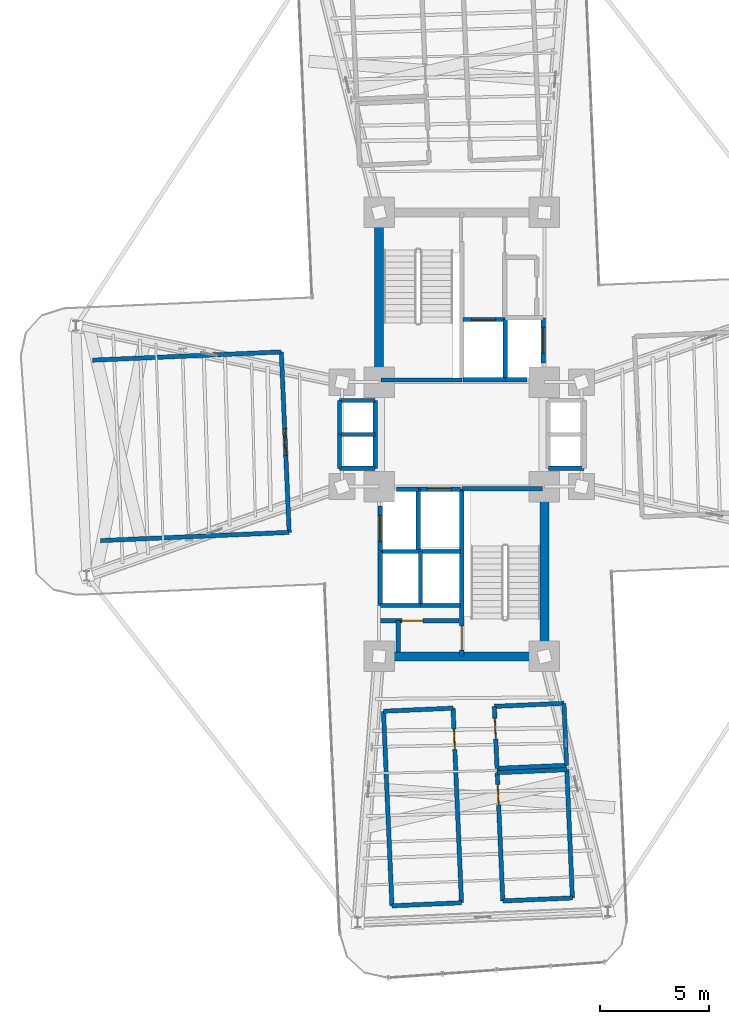
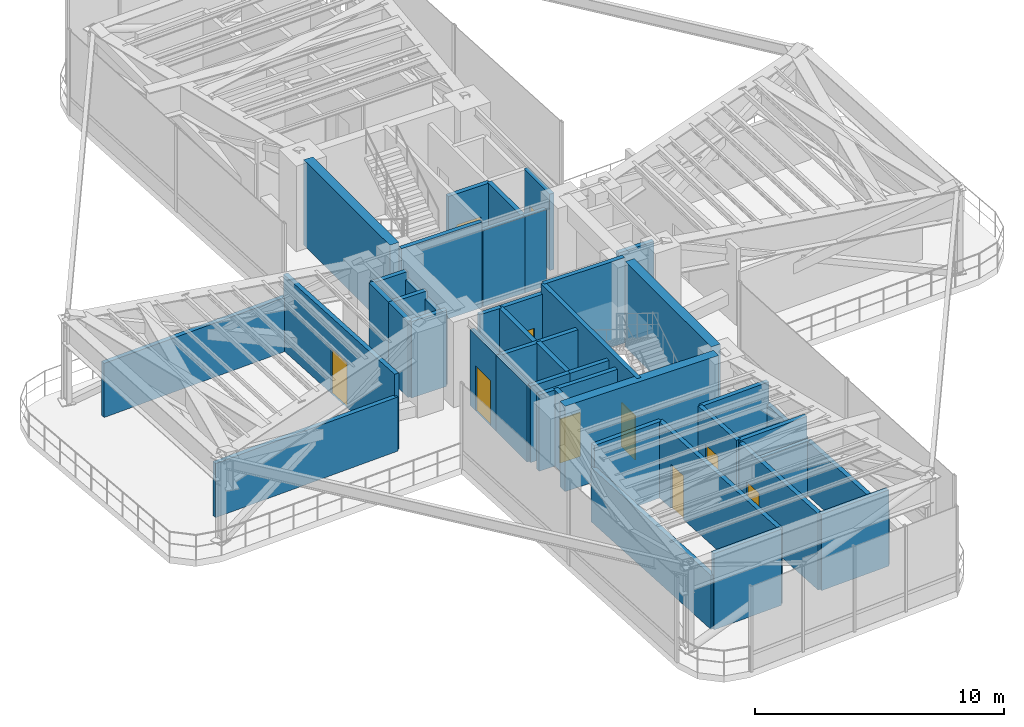
# One storey, part 15 of 18: 44 walls, 10 doors, 10 openings.
"""IFC4 building model written with IfcOpenShell, lengths in metres."""

from ifc_helpers import new_model, si_unit, direction, frame, frame_2d, origin, origin_2d, place, context, subcontext, project, spatial, rectangle, extrude, source, transform, mapped, material, layer, layer_set, type_object, element, fill, save


model = new_model("IFC4")

# Units and contexts
model_context = context("Model", 3, precision=1e-05, world=origin(), true_north=direction((0.0, 1.0)))
body_context = subcontext(model_context, "Body", "Model", "MODEL_VIEW")
ifc_project = project(units=[si_unit("LENGTHUNIT", "METRE"), si_unit("AREAUNIT", "SQUARE_METRE"), si_unit("VOLUMEUNIT", "CUBIC_METRE"), si_unit("PLANEANGLEUNIT", "RADIAN"), si_unit("MASSUNIT", "GRAM", prefix="KILO")], contexts=[model_context])

# Site, building, storey
site_placement = place(None, origin())
site = spatial("IfcSite", under=ifc_project, at=site_placement, CompositionType="ELEMENT")
building_placement = place(site_placement, origin())
building = spatial("IfcBuilding", under=site, at=building_placement, Name="Sahyath Konkavel Grand Hotel", CompositionType="ELEMENT")
storey_placement = place(building_placement, frame((0.0, 0.0, 138.25)))
storey = spatial("IfcBuildingStorey", under=building, at=storey_placement, Name="L38", CompositionType="ELEMENT", Elevation=138.25)

# Walls
ifc_material_1 = material(Name="Concrete C50/60", Category="concrete")
ifc_layer_1 = layer(ifc_material_1, 0.419921875)
ifc_layer_set_1 = layer_set([ifc_layer_1], Name="Concrete C50/60")
wall_type_1 = type_object("IfcWallType", Name="CWALL-420", PredefinedType="SHEAR", material=ifc_layer_set_1)
wall_1_placement = place(storey_placement, frame((-3.800048828125, 2.85009765625, 0.0), z_axis=(0.0, 0.0, 1.0), x_axis=(0.0, 1.0, 0.0)))
element("IfcWall", 1, at=wall_1_placement, inside=storey, type_object=wall_type_1, Name="L38 North Core Shear Wall W", PredefinedType="SHEAR", context=body_context, shape_type="SweptSolid", body=[
    extrude(rectangle(XDim=6.89990234375, YDim=0.419921875, at=frame_2d((3.449951171875, 0.0))), origin(), (0.0, 0.0, 1.0), 4.179931640625),
])
wall_2_placement = place(storey_placement, frame((-3.550048828125, -10.199951171875, 0.0), z_axis=(0.0, 0.0, 1.0), x_axis=(1.0, 0.0, 0.0)))
element("IfcWall", 2, at=wall_2_placement, inside=storey, type_object=wall_type_1, Name="L38 South Core Shear Wall S", PredefinedType="SHEAR", context=body_context, shape_type="SweptSolid", body=[
    extrude(rectangle(XDim=7.10009765625, YDim=0.419921875, at=frame_2d((3.550048828125, 0.0))), origin(), (0.0, 0.0, 1.0), 4.179931640625),
])
wall_3_placement = place(storey_placement, frame((3.800048828125, -9.75, 0.0), z_axis=(0.0, 0.0, 1.0), x_axis=(0.0, 1.0, 0.0)))
element("IfcWall", 3, at=wall_3_placement, inside=storey, type_object=wall_type_1, Name="L38 South Core Shear Wall E", PredefinedType="SHEAR", context=body_context, shape_type="SweptSolid", body=[
    extrude(rectangle(XDim=6.89990234375, YDim=0.419921875, at=frame_2d((3.449951171875, 0.0))), origin(), (0.0, 0.0, 1.0), 4.179931640625),
])
ifc_material_2 = material(Name="Concrete C40/50", Category="concrete")
ifc_layer_2 = layer(ifc_material_2, 0.199951171875)
ifc_layer_set_2 = layer_set([ifc_layer_2], Name="Concrete C40/50")
wall_type_2 = type_object("IfcWallType", Name="WLL-CORE-200", PredefinedType="SOLIDWALL", material=ifc_layer_set_2)
wall_4_placement = place(storey_placement, frame((-3.719970703125, 2.5, 0.0), z_axis=(0.0, 0.0, 1.0), x_axis=(1.0, 0.0, 0.0)))
element("IfcWall", 4, at=wall_4_placement, inside=storey, type_object=wall_type_2, Name="L38 Stair ST-1 Shaft Wall S", PredefinedType="SOLIDWALL", context=body_context, shape_type="SweptSolid", body=[
    extrude(rectangle(XDim=3.719970703125, YDim=0.199951171875, at=frame_2d((1.85986328125, 0.0))), origin(), (0.0, 0.0, 1.0), 4.179931640625),
])

# Wall, opening, door
wall_5_placement = place(storey_placement, frame((0.0, -10.179931640625, 0.0), z_axis=(0.0, 0.0, 1.0), x_axis=(0.0, 1.0, 0.0)))
wall_5 = element("IfcWall", 5, at=wall_5_placement, inside=storey, type_object=wall_type_2, Name="L38 Stair ST-2 Shaft Wall W", PredefinedType="SOLIDWALL", context=body_context, shape_type="SweptSolid", body=[
    extrude(rectangle(XDim=7.679931640625, YDim=0.199951171875, at=frame_2d((3.83984375, 0.0))), origin(), (0.0, 0.0, 1.0), 4.179931640625),
])
opening_1_placement = place(wall_5_placement, frame((0.280029296875, 0.0, 0.0)))
opening_1 = element("IfcOpeningElement", 6, at=opening_1_placement, cuts=wall_5, Name="Opening D-F12B", PredefinedType="OPENING", context=body_context, shape_type="SweptSolid", body=[
    extrude(rectangle(XDim=1.10009765625, YDim=2.14990234375, at=frame_2d((0.550048828125, 1.074951171875))), frame((0.0, 0.10986328125, 0.0), z_axis=(0.0, -1.0, 0.0), x_axis=(1.0, 0.0, 0.0)), (0.0, 0.0, 1.0), 0.219970703125),
])
ifc_material_3 = material(Name="Steel E350 Smokeproof Fire Door", Category="steel")
door_type_1 = type_object("IfcDoorType", Name="DR-FD120-1100", OperationType="NOTDEFINED", PredefinedType="DOOR", material=ifc_material_3)
shared_shape_1 = source(origin(), body_context, "Body", "SweptSolid", [
    extrude(rectangle(XDim=1.10009765625, YDim=0.050048828125, at=origin_2d()), origin(), (0.0, 0.0, 1.0), 2.14990234375),
])
door_1_placement = place(opening_1_placement, frame((0.550048828125, 0.0, 0.0)))
door_1 = element("IfcDoor", 7, at=door_1_placement, inside=storey, type_object=door_type_1, Name="L38 Stair ST-2 Fire Door", OperationType="SINGLE_SWING_LEFT", OverallHeight=2.14990234375, OverallWidth=1.10009765625, PredefinedType="DOOR", context=body_context, shape_type="MappedRepresentation", body=[
    mapped(shared_shape_1, transform((0.0, 0.0, 0.0), scale=1.0)),
])
fill(opening_1, door_1)

# Walls
wall_6_placement = place(storey_placement, frame((0.0, -2.5, 0.0), z_axis=(0.0, 0.0, 1.0), x_axis=(1.0, 0.0, 0.0)))
element("IfcWall", 8, at=wall_6_placement, inside=storey, type_object=wall_type_2, Name="L38 Stair ST-2 Shaft Wall N", PredefinedType="SOLIDWALL", context=body_context, shape_type="SweptSolid", body=[
    extrude(rectangle(XDim=3.719970703125, YDim=0.199951171875, at=frame_2d((1.85986328125, 0.0))), origin(), (0.0, 0.0, 1.0), 4.179931640625),
])
wall_7_placement = place(storey_placement, frame((2.0, 2.5, 0.0), z_axis=(0.0, 0.0, 1.0), x_axis=(0.0, 1.0, 0.0)))
element("IfcWall", 9, at=wall_7_placement, inside=storey, type_object=wall_type_2, Name="L38 Partition SH-FFL1-E", PredefinedType="SOLIDWALL", context=body_context, shape_type="SweptSolid", body=[
    extrude(rectangle(XDim=2.780029296875, YDim=0.199951171875, at=frame_2d((1.39013671875, 0.0))), origin(), (0.0, 0.0, 1.0), 3.72998046875),
])
wall_8_placement = place(storey_placement, frame((0.050048828125, 2.52001953125, 0.0), z_axis=(0.0, 0.0, 1.0), x_axis=(1.0, 0.0, 0.0)))
element("IfcWall", 10, at=wall_8_placement, inside=storey, type_object=wall_type_2, Name="L38 Partition SH-FFL1-S", PredefinedType="SOLIDWALL", context=body_context, shape_type="SweptSolid", body=[
    extrude(rectangle(XDim=1.949951171875, YDim=0.199951171875, at=frame_2d((0.97509765625, 0.0))), origin(), (0.0, 0.0, 1.0), 3.72998046875),
])

# Wall, opening, door
wall_9_placement = place(storey_placement, frame((0.050048828125, 5.280029296875, 0.0), z_axis=(0.0, 0.0, 1.0), x_axis=(1.0, 0.0, 0.0)))
wall_9 = element("IfcWall", 11, at=wall_9_placement, inside=storey, type_object=wall_type_2, Name="L38 Partition SH-FFL1-N", PredefinedType="SOLIDWALL", context=body_context, shape_type="SweptSolid", body=[
    extrude(rectangle(XDim=1.929931640625, YDim=0.199951171875, at=frame_2d((0.96484375, 0.0))), origin(), (0.0, 0.0, 1.0), 3.72998046875),
])
opening_2_placement = place(wall_9_placement, frame((0.39990234375, 0.0, 0.0)))
opening_2 = element("IfcOpeningElement", 12, at=opening_2_placement, cuts=wall_9, Name="Opening LD-11", PredefinedType="OPENING", context=body_context, shape_type="SweptSolid", body=[
    extrude(rectangle(XDim=1.10009765625, YDim=2.199951171875, at=frame_2d((0.550048828125, 1.10009765625))), frame((0.0, 0.10986328125, 0.0), z_axis=(0.0, -1.0, 0.0), x_axis=(1.0, 0.0, 0.0)), (0.0, 0.0, 1.0), 0.219970703125),
])
ifc_material_4 = material(Name="Bronze Lift Landing Door 1100")
door_type_2 = type_object("IfcDoorType", Name="DR-LIFT-1100", OperationType="DOUBLE_DOOR_SLIDING", PredefinedType="DOOR", material=ifc_material_4)
shared_shape_2 = source(origin(), body_context, "Body", "SweptSolid", [
    extrude(rectangle(XDim=1.10009765625, YDim=0.050048828125, at=origin_2d()), origin(), (0.0, 0.0, 1.0), 2.199951171875),
])
door_2_placement = place(opening_2_placement, frame((0.550048828125, 0.0, 0.0)))
door_2 = element("IfcDoor", 13, at=door_2_placement, inside=storey, type_object=door_type_2, Name="L38 Lift FFL-1 Landing Door", OperationType="DOUBLE_DOOR_SLIDING", OverallHeight=2.199951171875, OverallWidth=1.10009765625, PredefinedType="DOOR", context=body_context, shape_type="MappedRepresentation", body=[
    mapped(shared_shape_2, transform((0.0, 0.0, 0.0), scale=1.0)),
])
fill(opening_2, door_2)

# Wall
wall_10_placement = place(storey_placement, frame((-2.0, -5.280029296875, 0.0), z_axis=(0.0, 0.0, 1.0), x_axis=(0.0, 1.0, 0.0)))
element("IfcWall", 14, at=wall_10_placement, inside=storey, type_object=wall_type_2, Name="L38 Partition SH-FFL2-W", PredefinedType="SOLIDWALL", context=body_context, shape_type="SweptSolid", body=[
    extrude(rectangle(XDim=2.780029296875, YDim=0.199951171875, at=frame_2d((1.39013671875, 0.0))), origin(), (0.0, 0.0, 1.0), 3.72998046875),
])

# Wall, opening, door
wall_11_placement = place(storey_placement, frame((-2.0, -2.52001953125, 0.0), z_axis=(0.0, 0.0, 1.0), x_axis=(1.0, 0.0, 0.0)))
wall_11 = element("IfcWall", 15, at=wall_11_placement, inside=storey, type_object=wall_type_2, Name="L38 Partition SH-FFL2-N", PredefinedType="SOLIDWALL", context=body_context, shape_type="SweptSolid", body=[
    extrude(rectangle(XDim=1.949951171875, YDim=0.199951171875, at=frame_2d((0.97509765625, 0.0))), origin(), (0.0, 0.0, 1.0), 3.72998046875),
])
opening_3_placement = place(wall_11_placement, frame((0.419921875, 0.0, 0.0)))
opening_3 = element("IfcOpeningElement", 16, at=opening_3_placement, cuts=wall_11, Name="Opening LD-11", PredefinedType="OPENING", context=body_context, shape_type="SweptSolid", body=[
    extrude(rectangle(XDim=1.10009765625, YDim=2.199951171875, at=frame_2d((0.550048828125, 1.10009765625))), frame((0.0, 0.10986328125, 0.0), z_axis=(0.0, -1.0, 0.0), x_axis=(1.0, 0.0, 0.0)), (0.0, 0.0, 1.0), 0.219970703125),
])
door_3_placement = place(opening_3_placement, frame((0.550048828125, 0.0, 0.0)))
door_3 = element("IfcDoor", 17, at=door_3_placement, inside=storey, type_object=door_type_2, Name="L38 Lift FFL-2 Landing Door", OperationType="DOUBLE_DOOR_SLIDING", OverallHeight=2.199951171875, OverallWidth=1.10009765625, PredefinedType="DOOR", context=body_context, shape_type="MappedRepresentation", body=[
    mapped(shared_shape_2, transform((0.0, 0.0, 0.0), scale=1.0)),
])
fill(opening_3, door_3)

# Wall
wall_12_placement = place(storey_placement, frame((2.0, 2.52001953125, 0.0), z_axis=(0.0, 0.0, 1.0), x_axis=(1.0, 0.0, 0.0)))
element("IfcWall", 18, at=wall_12_placement, inside=storey, type_object=wall_type_2, Name="L38 Partition SH-SVL1-S", PredefinedType="SOLIDWALL", context=body_context, shape_type="SweptSolid", body=[
    extrude(rectangle(XDim=1.0, YDim=0.199951171875, at=frame_2d((0.5, 0.0))), origin(), (0.0, 0.0, 1.0), 3.72998046875),
])

# Wall, opening, door
wall_13_placement = place(storey_placement, frame((3.739990234375, 3.280029296875, 0.0), z_axis=(0.0, 0.0, 1.0), x_axis=(0.0, 1.0, 0.0)))
wall_13 = element("IfcWall", 19, at=wall_13_placement, inside=storey, type_object=wall_type_2, Name="L38 Partition SH-SVL1-E", PredefinedType="SOLIDWALL", context=body_context, shape_type="SweptSolid", body=[
    extrude(rectangle(XDim=2.080078125, YDim=0.199951171875, at=frame_2d((1.0400390625, 0.0))), origin(), (0.0, 0.0, 1.0), 3.72998046875),
])
opening_4_placement = place(wall_13_placement, frame((0.43994140625, 0.0, 0.0)))
opening_4 = element("IfcOpeningElement", 20, at=opening_4_placement, cuts=wall_13, Name="Opening LD-12", PredefinedType="OPENING", context=body_context, shape_type="SweptSolid", body=[
    extrude(rectangle(XDim=1.199951171875, YDim=2.199951171875, at=frame_2d((0.60009765625, 1.10009765625))), frame((0.0, 0.10986328125, 0.0), z_axis=(0.0, -1.0, 0.0), x_axis=(1.0, 0.0, 0.0)), (0.0, 0.0, 1.0), 0.219970703125),
])
ifc_material_5 = material(Name="Stainless Steel Lift Landing Door 1200", Category="steel")
door_type_3 = type_object("IfcDoorType", Name="DR-LIFT-1200", OperationType="DOUBLE_DOOR_SLIDING", PredefinedType="DOOR", material=ifc_material_5)
shared_shape_3 = source(origin(), body_context, "Body", "SweptSolid", [
    extrude(rectangle(XDim=1.199951171875, YDim=0.050048828125, at=origin_2d()), origin(), (0.0, 0.0, 1.0), 2.199951171875),
])
door_4_placement = place(opening_4_placement, frame((0.60009765625, 0.0, 0.0)))
door_4 = element("IfcDoor", 21, at=door_4_placement, inside=storey, type_object=door_type_3, Name="L38 Service Lift SVL-1 Landing Door", OperationType="DOUBLE_DOOR_SLIDING", OverallHeight=2.199951171875, OverallWidth=1.199951171875, PredefinedType="DOOR", context=body_context, shape_type="MappedRepresentation", body=[
    mapped(shared_shape_3, transform((0.0, 0.0, 0.0), scale=1.0)),
])
fill(opening_4, door_4)

# Wall
wall_14_placement = place(storey_placement, frame((-3.0, -2.52001953125, 0.0), z_axis=(0.0, 0.0, 1.0), x_axis=(1.0, 0.0, 0.0)))
element("IfcWall", 22, at=wall_14_placement, inside=storey, type_object=wall_type_2, Name="L38 Partition SH-SVL2-N", PredefinedType="SOLIDWALL", context=body_context, shape_type="SweptSolid", body=[
    extrude(rectangle(XDim=1.0, YDim=0.199951171875, at=frame_2d((0.5, 0.0))), origin(), (0.0, 0.0, 1.0), 3.72998046875),
])

# Wall, opening, door
wall_15_placement = place(storey_placement, frame((-3.739990234375, -5.360107421875, 0.0), z_axis=(0.0, 0.0, 1.0), x_axis=(0.0, 1.0, 0.0)))
wall_15 = element("IfcWall", 23, at=wall_15_placement, inside=storey, type_object=wall_type_2, Name="L38 Partition SH-SVL2-W", PredefinedType="SOLIDWALL", context=body_context, shape_type="SweptSolid", body=[
    extrude(rectangle(XDim=2.080078125, YDim=0.199951171875, at=frame_2d((1.0400390625, 0.0))), origin(), (0.0, 0.0, 1.0), 3.72998046875),
])
opening_5_placement = place(wall_15_placement, frame((0.43994140625, 0.0, 0.0)))
opening_5 = element("IfcOpeningElement", 24, at=opening_5_placement, cuts=wall_15, Name="Opening LD-12", PredefinedType="OPENING", context=body_context, shape_type="SweptSolid", body=[
    extrude(rectangle(XDim=1.199951171875, YDim=2.199951171875, at=frame_2d((0.60009765625, 1.10009765625))), frame((0.0, 0.10986328125, 0.0), z_axis=(0.0, -1.0, 0.0), x_axis=(1.0, 0.0, 0.0)), (0.0, 0.0, 1.0), 0.219970703125),
])
door_5_placement = place(opening_5_placement, frame((0.60009765625, 0.0, 0.0)))
door_5 = element("IfcDoor", 25, at=door_5_placement, inside=storey, type_object=door_type_3, Name="L38 Service Lift SVL-2 Landing Door", OperationType="DOUBLE_DOOR_SLIDING", OverallHeight=2.199951171875, OverallWidth=1.199951171875, PredefinedType="DOOR", context=body_context, shape_type="MappedRepresentation", body=[
    mapped(shared_shape_3, transform((0.0, 0.0, 0.0), scale=1.0)),
])
fill(opening_5, door_5)

# Walls
wall_16_placement = place(storey_placement, frame((-3.739990234375, -7.860107421875, 0.0), z_axis=(0.0, 0.0, 1.0), x_axis=(0.0, 1.0, 0.0)))
element("IfcWall", 26, at=wall_16_placement, inside=storey, type_object=wall_type_2, Name="L38 Partition SH-PL3-W", PredefinedType="SOLIDWALL", context=body_context, shape_type="SweptSolid", body=[
    extrude(rectangle(XDim=2.480224609375, YDim=0.199951171875, at=frame_2d((1.240234375, 0.0))), origin(), (0.0, 0.0, 1.0), 3.72998046875),
])
wall_17_placement = place(storey_placement, frame((-3.739990234375, -7.860107421875, 0.0), z_axis=(0.0, 0.0, 1.0), x_axis=(1.0, 0.0, 0.0)))
element("IfcWall", 27, at=wall_17_placement, inside=storey, type_object=wall_type_2, Name="L38 Partition SH-PL3-S", PredefinedType="SOLIDWALL", context=body_context, shape_type="SweptSolid", body=[
    extrude(rectangle(XDim=1.840087890625, YDim=0.199951171875, at=frame_2d((0.919921875, 0.0))), origin(), (0.0, 0.0, 1.0), 3.72998046875),
])
wall_18_placement = place(storey_placement, frame((-3.739990234375, -5.3798828125, 0.0), z_axis=(0.0, 0.0, 1.0), x_axis=(1.0, 0.0, 0.0)))
element("IfcWall", 28, at=wall_18_placement, inside=storey, type_object=wall_type_2, Name="L38 Partition SH-PL34-N", PredefinedType="SOLIDWALL", context=body_context, shape_type="SweptSolid", body=[
    extrude(rectangle(XDim=3.68994140625, YDim=0.199951171875, at=frame_2d((1.844970703125, 0.0))), origin(), (0.0, 0.0, 1.0), 3.72998046875),
])
wall_19_placement = place(storey_placement, frame((-1.89990234375, -7.860107421875, 0.0), z_axis=(0.0, 0.0, 1.0), x_axis=(0.0, 1.0, 0.0)))
element("IfcWall", 29, at=wall_19_placement, inside=storey, type_object=wall_type_2, Name="L38 Partition SH-PL34-M", PredefinedType="SOLIDWALL", context=body_context, shape_type="SweptSolid", body=[
    extrude(rectangle(XDim=2.480224609375, YDim=0.199951171875, at=frame_2d((1.240234375, 0.0))), origin(), (0.0, 0.0, 1.0), 3.72998046875),
])
wall_20_placement = place(storey_placement, frame((-1.89990234375, -7.860107421875, 0.0), z_axis=(0.0, 0.0, 1.0), x_axis=(1.0, 0.0, 0.0)))
element("IfcWall", 30, at=wall_20_placement, inside=storey, type_object=wall_type_2, Name="L38 Partition SH-PL4-S", PredefinedType="SOLIDWALL", context=body_context, shape_type="SweptSolid", body=[
    extrude(rectangle(XDim=1.849853515625, YDim=0.199951171875, at=frame_2d((0.9248046875, 0.0))), origin(), (0.0, 0.0, 1.0), 3.72998046875),
])
wall_21_placement = place(storey_placement, frame((3.97998046875, -1.56005859375, 0.0), z_axis=(0.0, 0.0, 1.0), x_axis=(1.0, 0.0, 0.0)))
element("IfcWall", 31, at=wall_21_placement, inside=storey, type_object=wall_type_2, Name="L38 Partition SH-PL56-S", PredefinedType="SOLIDWALL", context=body_context, shape_type="SweptSolid", body=[
    extrude(rectangle(XDim=1.64013671875, YDim=0.199951171875, at=frame_2d((0.820068359375, 0.0))), origin(), (0.0, 0.0, 1.0), 3.72998046875),
])
wall_22_placement = place(storey_placement, frame((-3.97998046875, -1.56005859375, 0.0), z_axis=(0.0, 0.0, 1.0), x_axis=(0.0, 1.0, 0.0)))
element("IfcWall", 32, at=wall_22_placement, inside=storey, type_object=wall_type_2, Name="L38 Partition SH-SL12-E", PredefinedType="SOLIDWALL", context=body_context, shape_type="SweptSolid", body=[
    extrude(rectangle(XDim=3.1201171875, YDim=0.199951171875, at=frame_2d((1.56005859375, 0.0))), origin(), (0.0, 0.0, 1.0), 3.35009765625),
])
for number, where, z_axis, x_axis, name in (
    (33, (-5.6201171875, 1.56005859375, 0.0), (0.0, 0.0, 1.0), (1.0, 0.0, 0.0), "L38 Partition SH-SL12-N"),
    (34, (-5.6201171875, -1.56005859375, 0.0), (0.0, 0.0, 1.0), (1.0, 0.0, 0.0), "L38 Partition SH-SL12-S"),
    (35, (-5.6201171875, 0.0, 0.0), (0.0, 0.0, 1.0), (1.0, 0.0, 0.0), "L38 Partition SH-SL12-M"),
):
    element("IfcWall", number, at=place(storey_placement, frame(where, z_axis=z_axis, x_axis=x_axis)), inside=storey, type_object=wall_type_2, Name=name, PredefinedType="SOLIDWALL", context=body_context, shape_type="SweptSolid", body=[
        extrude(rectangle(XDim=1.64013671875, YDim=0.199951171875, at=frame_2d((0.820068359375, 0.0))), origin(), (0.0, 0.0, 1.0), 3.72998046875),
    ])
for number, where, z_axis, x_axis, name in (
    (36, (-5.6201171875, 0.0, 0.0), (0.0, 0.0, 1.0), (0.0, 1.0, 0.0), "L38 Partition SH-SL1-W"),
    (37, (-5.6201171875, -1.56005859375, 0.0), (0.0, 0.0, 1.0), (0.0, 1.0, 0.0), "L38 Partition SH-SL2-W"),
):
    element("IfcWall", number, at=place(storey_placement, frame(where, z_axis=z_axis, x_axis=x_axis)), inside=storey, type_object=wall_type_2, Name=name, PredefinedType="SOLIDWALL", context=body_context, shape_type="SweptSolid", body=[
        extrude(rectangle(XDim=1.56005859375, YDim=0.199951171875, at=frame_2d((0.780029296875, 0.0))), origin(), (0.0, 0.0, 1.0), 3.72998046875),
    ])

# Wall, opening, door
wall_23_placement = place(storey_placement, frame((-3.739990234375, -8.56005859375, 0.0), z_axis=(0.0, 0.0, 1.0), x_axis=(1.0, 0.0, 0.0)))
wall_23 = element("IfcWall", 38, at=wall_23_placement, inside=storey, type_object=wall_type_2, Name="L38 South FF Lobby Separation Wall", PredefinedType="SOLIDWALL", context=body_context, shape_type="SweptSolid", body=[
    extrude(rectangle(XDim=3.619873046875, YDim=0.199951171875, at=frame_2d((1.81005859375, 0.0))), origin(), (0.0, 0.0, 1.0), 3.72998046875),
])
opening_6_placement = place(wall_23_placement, frame((1.0, 0.0, 0.0)))
opening_6 = element("IfcOpeningElement", 39, at=opening_6_placement, cuts=wall_23, Name="Opening D-F12C", PredefinedType="OPENING", context=body_context, shape_type="SweptSolid", body=[
    extrude(rectangle(XDim=0.949951171875, YDim=2.14990234375, at=frame_2d((0.47509765625, 1.074951171875))), frame((0.0, 0.10986328125, 0.0), z_axis=(0.0, -1.0, 0.0), x_axis=(1.0, 0.0, 0.0)), (0.0, 0.0, 1.0), 0.219970703125),
])
ifc_material_6 = material(Name="Steel E350 Plant Fire Door", Category="steel")
door_type_4 = type_object("IfcDoorType", Name="DR-FD120-950", OperationType="NOTDEFINED", PredefinedType="DOOR", material=ifc_material_6)
shared_shape_4 = source(origin(), body_context, "Body", "SweptSolid", [
    extrude(rectangle(XDim=0.949951171875, YDim=0.050048828125, at=origin_2d()), origin(), (0.0, 0.0, 1.0), 2.14990234375),
])
door_6_placement = place(opening_6_placement, frame((0.47509765625, 0.0, 0.0)))
door_6 = element("IfcDoor", 40, at=door_6_placement, inside=storey, type_object=door_type_4, Name="L38 South Firefighting Lobby Door", OperationType="SINGLE_SWING_RIGHT", OverallHeight=2.14990234375, OverallWidth=0.949951171875, PredefinedType="DOOR", context=body_context, shape_type="MappedRepresentation", body=[
    mapped(shared_shape_4, transform((0.0, 0.0, 0.0), scale=1.0)),
])
fill(opening_6, door_6)

# Wall
wall_24_placement = place(storey_placement, frame((-2.919921875, -10.0, 0.0), z_axis=(0.0, 0.0, 1.0), x_axis=(0.0, 1.0, 0.0)))
element("IfcWall", 41, at=wall_24_placement, inside=storey, type_object=wall_type_2, Name="L38 Partition SFF-W2", PredefinedType="SOLIDWALL", context=body_context, shape_type="SweptSolid", body=[
    extrude(rectangle(XDim=1.43994140625, YDim=0.199951171875, at=frame_2d((0.719970703125, 0.0))), origin(), (0.0, 0.0, 1.0), 3.72998046875),
])

# Wall, opening, door
wall_25_placement = place(storey_placement, frame((-8.293212890625, 3.7919921875, 0.0), z_axis=(0.0, 0.0, 1.0), x_axis=(0.043591675458, -0.999049431125, 0.0)))
wall_25 = element("IfcWall", 42, at=wall_25_placement, inside=storey, type_object=wall_type_2, Name="L38 Partition REF-W-IN", PredefinedType="SOLIDWALL", context=body_context, shape_type="SweptSolid", body=[
    extrude(rectangle(XDim=8.300048828125, YDim=0.199951171875, at=frame_2d((4.14990234375, 0.0))), origin(), (0.0, 0.0, 1.0), 3.72998046875),
])
opening_7_placement = place(wall_25_placement, frame((3.550048828125, 0.0, 0.0)))
opening_7 = element("IfcOpeningElement", 43, at=opening_7_placement, cuts=wall_25, Name="Opening D-F12A", PredefinedType="OPENING", context=body_context, shape_type="SweptSolid", body=[
    extrude(rectangle(XDim=1.199951171875, YDim=2.199951171875, at=frame_2d((0.60009765625, 1.10009765625))), frame((0.0, 0.10986328125, 0.0), z_axis=(0.0, -1.0, 0.0), x_axis=(1.0, 0.0, 0.0)), (0.0, 0.0, 1.0), 0.219970703125),
])
ifc_material_7 = material(Name="Steel E350 Fire Door", Category="steel")
door_type_5 = type_object("IfcDoorType", Name="DR-FD120-1200", OperationType="NOTDEFINED", PredefinedType="DOOR", material=ifc_material_7)
door_7_placement = place(opening_7_placement, frame((0.60009765625, 0.0, 0.0)))
door_7 = element("IfcDoor", 44, at=door_7_placement, inside=storey, type_object=door_type_5, Name="L38 Door REF-W-D", OperationType="SINGLE_SWING_LEFT", OverallHeight=2.199951171875, OverallWidth=1.199951171875, PredefinedType="DOOR", context=body_context, shape_type="MappedRepresentation", body=[
    mapped(shared_shape_3, transform((0.0, 0.0, 0.0), scale=1.0)),
])
fill(opening_7, door_7)

# Walls
wall_26_placement = place(storey_placement, frame((-7.931396484375, -4.500244140625, 0.0), z_axis=(0.0, 0.0, 1.0), x_axis=(-0.999047967879, -0.04362519773, 0.0)))
element("IfcWall", 45, at=wall_26_placement, inside=storey, type_object=wall_type_2, Name="L38 Partition REF-W-N", PredefinedType="SOLIDWALL", context=body_context, shape_type="SweptSolid", body=[
    extrude(rectangle(XDim=8.679931640625, YDim=0.199951171875, at=frame_2d((4.33984375, 0.0))), origin(), (0.0, 0.0, 1.0), 2.64990234375),
])
wall_27_placement = place(storey_placement, frame((-8.293212890625, 3.7919921875, 0.0), z_axis=(0.0, 0.0, 1.0), x_axis=(-0.999046795199, -0.043652044655, 0.0)))
element("IfcWall", 46, at=wall_27_placement, inside=storey, type_object=wall_type_2, Name="L38 Partition REF-W-S", PredefinedType="SOLIDWALL", context=body_context, shape_type="SweptSolid", body=[
    extrude(rectangle(XDim=8.68017578125, YDim=0.199951171875, at=frame_2d((4.340087890625, 0.0))), origin(), (0.0, 0.0, 1.0), 2.64990234375),
])

# Wall, opening, door
wall_28_placement = place(storey_placement, frame((1.49658203125, -12.49658203125, 0.0), z_axis=(0.0, 0.0, 1.0), x_axis=(0.043600785227, -0.999049033595, 0.0)))
wall_28 = element("IfcWall", 47, at=wall_28_placement, inside=storey, type_object=wall_type_2, Name="L38 Partition PL-CHL-C", PredefinedType="SOLIDWALL", context=body_context, shape_type="SweptSolid", body=[
    extrude(rectangle(XDim=2.85009765625, YDim=0.199951171875, at=frame_2d((1.425048828125, 0.0))), origin(), (0.0, 0.0, 1.0), 3.72998046875),
])
opening_8_placement = place(wall_28_placement, frame((0.550048828125, 0.0, 0.0)))
opening_8 = element("IfcOpeningElement", 48, at=opening_8_placement, cuts=wall_28, Name="Opening D-F12C", PredefinedType="OPENING", context=body_context, shape_type="SweptSolid", body=[
    extrude(rectangle(XDim=0.949951171875, YDim=2.14990234375, at=frame_2d((0.47509765625, 1.074951171875))), frame((0.0, 0.10986328125, 0.0), z_axis=(0.0, -1.0, 0.0), x_axis=(1.0, 0.0, 0.0)), (0.0, 0.0, 1.0), 0.219970703125),
])
door_8_placement = place(opening_8_placement, frame((0.47509765625, 0.0, 0.0)))
door_8 = element("IfcDoor", 49, at=door_8_placement, inside=storey, type_object=door_type_4, Name="L38 Door PL-CHL-D", OperationType="SINGLE_SWING_RIGHT", OverallHeight=2.14990234375, OverallWidth=0.949951171875, PredefinedType="DOOR", context=body_context, shape_type="MappedRepresentation", body=[
    mapped(shared_shape_4, transform((0.0, 0.0, 0.0), scale=1.0)),
])
fill(opening_8, door_8)

# Walls
wall_29_placement = place(storey_placement, frame((4.693603515625, -12.35693359375, 0.0), z_axis=(0.0, 0.0, 1.0), x_axis=(0.043600785227, -0.999049033595, 0.0)))
element("IfcWall", 50, at=wall_29_placement, inside=storey, type_object=wall_type_2, Name="L38 Partition PL-CHL-O", PredefinedType="SOLIDWALL", context=body_context, shape_type="SweptSolid", body=[
    extrude(rectangle(XDim=2.85009765625, YDim=0.199951171875, at=frame_2d((1.425048828125, 0.0))), origin(), (0.0, 0.0, 1.0), 2.64990234375),
])
for number, where, z_axis, x_axis, name in (
    (51, (1.49658203125, -12.49658203125, 0.0), (0.0, 0.0, 1.0), (0.999047357133, 0.043639181999, 0.0), "L38 Partition PL-CHL-A"),
    (52, (1.620849609375, -15.343994140625, 0.0), (0.0, 0.0, 1.0), (0.999047357133, 0.043639181999, 0.0), "L38 Partition PL-CHL-B"),
):
    element("IfcWall", number, at=place(storey_placement, frame(where, z_axis=z_axis, x_axis=x_axis)), inside=storey, type_object=wall_type_2, Name=name, PredefinedType="SOLIDWALL", context=body_context, shape_type="SweptSolid", body=[
        extrude(rectangle(XDim=3.199951171875, YDim=0.199951171875, at=frame_2d((1.60009765625, 0.0))), origin(), (0.0, 0.0, 1.0), 3.72998046875),
    ])

# Wall, opening, door
wall_30_placement = place(storey_placement, frame((1.629638671875, -15.543701171875, 0.0), z_axis=(0.0, 0.0, 1.0), x_axis=(0.043615003408, -0.99904841298, 0.0)))
wall_30 = element("IfcWall", 53, at=wall_30_placement, inside=storey, type_object=wall_type_2, Name="L38 Partition PL-ELC-C", PredefinedType="SOLIDWALL", context=body_context, shape_type="SweptSolid", body=[
    extrude(rectangle(XDim=5.89990234375, YDim=0.199951171875, at=frame_2d((2.949951171875, 0.0))), origin(), (0.0, 0.0, 1.0), 3.72998046875),
])
opening_9_placement = place(wall_30_placement, frame((0.550048828125, 0.0, 0.0)))
opening_9 = element("IfcOpeningElement", 54, at=opening_9_placement, cuts=wall_30, Name="Opening D-F12C", PredefinedType="OPENING", context=body_context, shape_type="SweptSolid", body=[
    extrude(rectangle(XDim=0.949951171875, YDim=2.14990234375, at=frame_2d((0.47509765625, 1.074951171875))), frame((0.0, 0.10986328125, 0.0), z_axis=(0.0, -1.0, 0.0), x_axis=(1.0, 0.0, 0.0)), (0.0, 0.0, 1.0), 0.219970703125),
])
door_9_placement = place(opening_9_placement, frame((0.47509765625, 0.0, 0.0)))
door_9 = element("IfcDoor", 55, at=door_9_placement, inside=storey, type_object=door_type_4, Name="L38 Door PL-ELC-D", OperationType="SINGLE_SWING_LEFT", OverallHeight=2.14990234375, OverallWidth=0.949951171875, PredefinedType="DOOR", context=body_context, shape_type="MappedRepresentation", body=[
    mapped(shared_shape_4, transform((0.0, 0.0, 0.0), scale=1.0)),
])
fill(opening_9, door_9)

# Walls
wall_31_placement = place(storey_placement, frame((4.826416015625, -15.404052734375, 0.0), z_axis=(0.0, 0.0, 1.0), x_axis=(0.04365450032, -0.999046687899, 0.0)))
element("IfcWall", 56, at=wall_31_placement, inside=storey, type_object=wall_type_2, Name="L38 Partition PL-ELC-O", PredefinedType="SOLIDWALL", context=body_context, shape_type="SweptSolid", body=[
    extrude(rectangle(XDim=5.900146484375, YDim=0.199951171875, at=frame_2d((2.9501953125, 0.0))), origin(), (0.0, 0.0, 1.0), 2.64990234375),
])
wall_32_placement = place(storey_placement, frame((1.629638671875, -15.543701171875, 0.0), z_axis=(0.0, 0.0, 1.0), x_axis=(0.999047211827, 0.043642508413, 0.0)))
element("IfcWall", 57, at=wall_32_placement, inside=storey, type_object=wall_type_2, Name="L38 Partition PL-ELC-A", PredefinedType="SOLIDWALL", context=body_context, shape_type="SweptSolid", body=[
    extrude(rectangle(XDim=3.19970703125, YDim=0.199951171875, at=frame_2d((1.599853515625, 0.0))), origin(), (0.0, 0.0, 1.0), 2.64990234375),
])
wall_33_placement = place(storey_placement, frame((1.886962890625, -21.43798828125, 0.0), z_axis=(0.0, 0.0, 1.0), x_axis=(0.999050680403, 0.043563034632, 0.0)))
element("IfcWall", 58, at=wall_33_placement, inside=storey, type_object=wall_type_2, Name="L38 Partition PL-ELC-B", PredefinedType="SOLIDWALL", context=body_context, shape_type="SweptSolid", body=[
    extrude(rectangle(XDim=3.199951171875, YDim=0.199951171875, at=frame_2d((1.60009765625, 0.0))), origin(), (0.0, 0.0, 1.0), 3.72998046875),
])

# Wall, opening, door
wall_34_placement = place(storey_placement, frame((-0.401611328125, -12.57958984375, 0.0), z_axis=(0.0, 0.0, 1.0), x_axis=(0.043618342596, -0.999048267197, 0.0)))
wall_34 = element("IfcWall", 59, at=wall_34_placement, inside=storey, type_object=wall_type_2, Name="L38 Partition PL-BMS-C", PredefinedType="SOLIDWALL", context=body_context, shape_type="SweptSolid", body=[
    extrude(rectangle(XDim=8.949951171875, YDim=0.199951171875, at=frame_2d((4.47509765625, 0.0))), origin(), (0.0, 0.0, 1.0), 3.72998046875),
])
opening_10_placement = place(wall_34_placement, frame((0.949951171875, 0.0, 0.0)))
opening_10 = element("IfcOpeningElement", 60, at=opening_10_placement, cuts=wall_34, Name="Opening D-F12C", PredefinedType="OPENING", context=body_context, shape_type="SweptSolid", body=[
    extrude(rectangle(XDim=0.949951171875, YDim=2.14990234375, at=frame_2d((0.47509765625, 1.074951171875))), frame((0.0, 0.10986328125, 0.0), z_axis=(0.0, -1.0, 0.0), x_axis=(1.0, 0.0, 0.0)), (0.0, 0.0, 1.0), 0.219970703125),
])
door_10_placement = place(opening_10_placement, frame((0.47509765625, 0.0, 0.0)))
door_10 = element("IfcDoor", 61, at=door_10_placement, inside=storey, type_object=door_type_4, Name="L38 Door PL-BMS-D", OperationType="SINGLE_SWING_LEFT", OverallHeight=2.14990234375, OverallWidth=0.949951171875, PredefinedType="DOOR", context=body_context, shape_type="MappedRepresentation", body=[
    mapped(shared_shape_4, transform((0.0, 0.0, 0.0), scale=1.0)),
])
fill(opening_10, door_10)

# Walls
wall_35_placement = place(storey_placement, frame((-3.5986328125, -12.718994140625, 0.0), z_axis=(0.0, 0.0, 1.0), x_axis=(0.043617153918, -0.999048319094, 0.0)))
element("IfcWall", 62, at=wall_35_placement, inside=storey, type_object=wall_type_2, Name="L38 Partition PL-BMS-O", PredefinedType="SOLIDWALL", context=body_context, shape_type="SweptSolid", body=[
    extrude(rectangle(XDim=8.9501953125, YDim=0.199951171875, at=frame_2d((4.47509765625, 0.0))), origin(), (0.0, 0.0, 1.0), 2.64990234375),
])
for number, where, z_axis, x_axis, name in (
    (63, (-3.5986328125, -12.718994140625, 0.0), (0.0, 0.0, 1.0), (0.999050680403, 0.043563034632, 0.0), "L38 Partition PL-BMS-A"),
    (64, (-3.208251953125, -21.66064453125, 0.0), (0.0, 0.0, 1.0), (0.999047357133, 0.043639181999, 0.0), "L38 Partition PL-BMS-B"),
):
    element("IfcWall", number, at=place(storey_placement, frame(where, z_axis=z_axis, x_axis=x_axis)), inside=storey, type_object=wall_type_2, Name=name, PredefinedType="SOLIDWALL", context=body_context, shape_type="SweptSolid", body=[
        extrude(rectangle(XDim=3.199951171875, YDim=0.199951171875, at=frame_2d((1.60009765625, 0.0))), origin(), (0.0, 0.0, 1.0), 3.72998046875),
    ])

save(model, "model.ifc")
